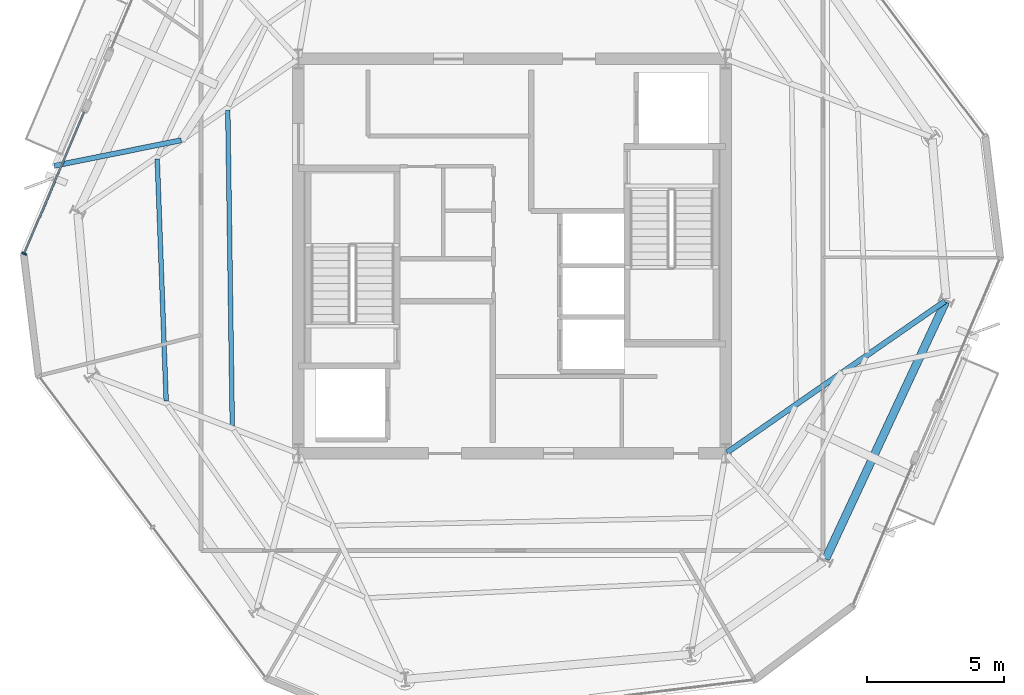
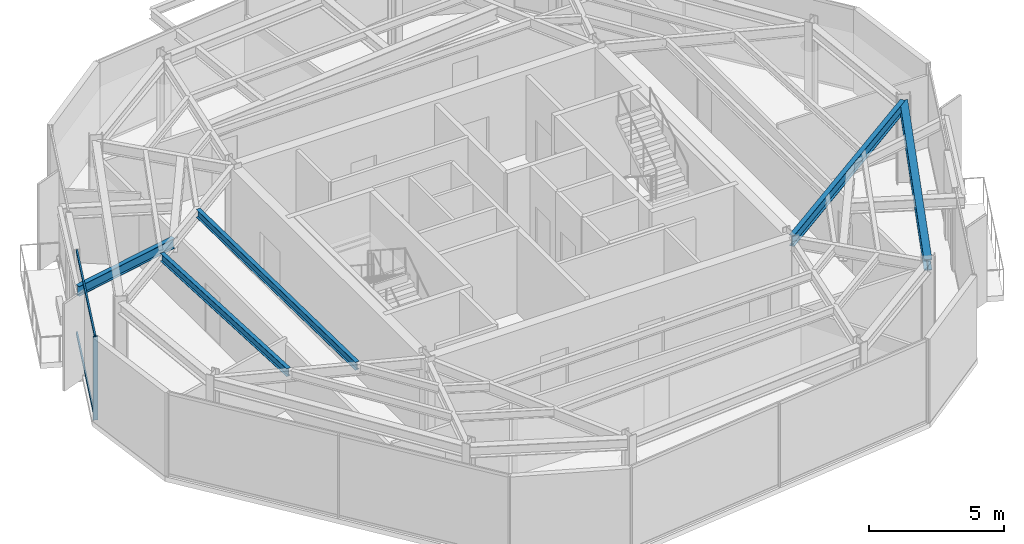
# One storey, part 3 of 11: 5 beams, 3 members, 1 element without a shape of its own.
"""IFC4 building model written with IfcOpenShell, lengths in metres."""

from ifc_helpers import new_model, si_unit, direction, frame, origin, origin_2d, place, context, subcontext, project, spatial, rectangle, i_section, extrude, material, layer, layer_set, material_profile, profile_set, type_object, element, aggregate, save


model = new_model("IFC4")

# Units and contexts
model_context = context("Model", 3, precision=1e-05, world=origin(), true_north=direction((0.0, 1.0)))
body_context = subcontext(model_context, "Body", "Model", "MODEL_VIEW")
ifc_project = project(units=[si_unit("LENGTHUNIT", "METRE"), si_unit("AREAUNIT", "SQUARE_METRE"), si_unit("VOLUMEUNIT", "CUBIC_METRE"), si_unit("PLANEANGLEUNIT", "RADIAN"), si_unit("MASSUNIT", "GRAM", prefix="KILO")], contexts=[model_context])

# Site, building, storey
site_placement = place(None, origin())
site = spatial("IfcSite", under=ifc_project, at=site_placement, CompositionType="ELEMENT")
building_placement = place(site_placement, origin())
building = spatial("IfcBuilding", under=site, at=building_placement, Name="Kranzbogen Civic Tower", CompositionType="ELEMENT")
storey_placement = place(building_placement, frame((0.0, 0.0, 294.199951171875)))
storey = spatial("IfcBuildingStorey", under=building, at=storey_placement, Name="L71", CompositionType="ELEMENT", Elevation=294.199951171875)

# Beam
ifc_material_1 = material(Name="Steel S355", Category="steel")
ifc_material_profile_1 = material_profile(ifc_material_1, i_section(OverallWidth=0.18994140625, OverallDepth=0.449951171875, WebThickness=0.009521484375, FlangeThickness=0.0146484375, at=origin_2d()), Name="IPE 450")
ifc_profile_set_1 = profile_set([ifc_material_profile_1], Name="Steel S355")
beam_type_1 = type_object("IfcBeamType", Name="Braced Terrace Edge Beam IPE 450", PredefinedType="BEAM", material=ifc_profile_set_1)
beam_1_placement = place(storey_placement, frame((12.924072265625, 29.23291015625, 3.525146484375), z_axis=(-0.980312003659, -0.197454742873, 0.0), x_axis=(0.197454742873, -0.980312003659, 0.0)))
element("IfcBeam", 1, at=beam_1_placement, inside=storey, type_object=beam_type_1, Name="L72 back-spanned terrace beam L72-TB2-2", PredefinedType="BEAM", context=body_context, shape_type="SweptSolid", body=[
    extrude(i_section(OverallWidth=0.18994140625, OverallDepth=0.449951171875, WebThickness=0.009521484375, FlangeThickness=0.0146484375, at=origin_2d()), origin(), (0.0, 0.0, 1.0), 4.734375),
])

# Curtain wall, members
ifc_material_2 = material(Name="Pale Anodised Aluminium", Category="aluminium")
ifc_layer = layer(ifc_material_2, 0.219970703125, Name="Pale Anodised Aluminium")
ifc_layer_set = layer_set([ifc_layer], Name="Pale Anodised Aluminium")
curtain_wall_type = type_object("IfcCurtainWallType", Name="Zone 4 Stick Curtain Wall System CW-05", PredefinedType="USERDEFINED", material=ifc_layer_set)
curtain_wall_placement = place(storey_placement, origin())
curtain_wall = element("IfcCurtainWall", 2, at=curtain_wall_placement, inside=storey, type_object=curtain_wall_type, Name="L71 curtain wall CW-L71-F2-S2", ObjectType="STICK CURTAIN WALL", PredefinedType="USERDEFINED")
ifc_material_profile_2 = material_profile(ifc_material_2, rectangle(XDim=0.06494140625, YDim=0.179931640625, at=origin_2d()), Name="ALU-M 65x180")
ifc_profile_set_2 = profile_set([ifc_material_profile_2], Name="Pale Anodised Aluminium")
member_type_1 = type_object("IfcMemberType", Name="Curtain Wall Mullion ALU-M 65x180", PredefinedType="MULLION", material=ifc_profile_set_2)
member_1_placement = place(storey_placement, frame((7.189697265625, 25.088623046875, 0.0), z_axis=(0.0, 0.0, 1.0), x_axis=(-0.390702820326, -0.920516869041, 0.0)))
member_1 = element("IfcMember", 3, at=member_1_placement, type_object=member_type_1, Name="CW-05 mullion 2", PredefinedType="MULLION", context=body_context, shape_type="SweptSolid", body=[
    extrude(rectangle(XDim=0.06494140625, YDim=0.179931640625, at=origin_2d()), origin(), (0.0, 0.0, 1.0), 3.780029296875),
])
ifc_material_profile_3 = material_profile(ifc_material_2, rectangle(XDim=0.06494140625, YDim=0.135009765625, at=origin_2d()), Name="ALU-T 65x135")
ifc_profile_set_3 = profile_set([ifc_material_profile_3], Name="Pale Anodised Aluminium")
member_type_2 = type_object("IfcMemberType", Name="Curtain Wall Transom ALU-T 65x135", PredefinedType="USERDEFINED", material=ifc_profile_set_3)
member_2_placement = place(storey_placement, frame((9.384521484375, 30.259765625, 0.030029296875), z_axis=(-0.390700198967, -0.920517981642, 0.0), x_axis=(0.920517981642, -0.390700198967, 0.0)))
member_2 = element("IfcMember", 4, at=member_2_placement, type_object=member_type_2, Name="CW-05 transom 1.1", ObjectType="TRANSOM", PredefinedType="USERDEFINED", context=body_context, shape_type="SweptSolid", body=[
    extrude(rectangle(XDim=0.06494140625, YDim=0.135009765625, at=origin_2d()), origin(), (0.0, 0.0, 1.0), 5.587646484375),
])
member_3_placement = place(storey_placement, frame((9.384521484375, 30.259765625, 3.75), z_axis=(-0.390700198967, -0.920517981642, 0.0), x_axis=(0.920517981642, -0.390700198967, 0.0)))
member_3 = element("IfcMember", 5, at=member_3_placement, type_object=member_type_2, Name="CW-05 transom 1.2", ObjectType="TRANSOM", PredefinedType="USERDEFINED", context=body_context, shape_type="SweptSolid", body=[
    extrude(rectangle(XDim=0.06494140625, YDim=0.135009765625, at=origin_2d()), origin(), (0.0, 0.0, 1.0), 5.587646484375),
])
aggregate(curtain_wall, [member_1, member_2, member_3])

# Beams
ifc_material_profile_4 = material_profile(ifc_material_1, i_section(OverallWidth=0.300048828125, OverallDepth=0.5, WebThickness=0.014404296875, FlangeThickness=0.028076171875, at=origin_2d()), Name="HEB 500")
ifc_profile_set_4 = profile_set([ifc_material_profile_4], Name="Steel S355")
beam_type_2 = type_object("IfcBeamType", Name="Perimeter Tube Spandrel Beam HEB 500", PredefinedType="SPANDREL", material=ifc_profile_set_4)
beam_2_placement = place(storey_placement, frame((36.449951171875, 13.944091796875, 3.530029296875), z_axis=(0.422668780888, 0.906284227857, 0.0), x_axis=(-0.906284227857, 0.422668780888, 0.0)))
element("IfcBeam", 6, at=beam_2_placement, inside=storey, type_object=beam_type_2, Name="L71 perimeter spandrel beam 05", PredefinedType="SPANDREL", context=body_context, shape_type="SweptSolid", body=[
    extrude(i_section(OverallWidth=0.300048828125, OverallDepth=0.5, WebThickness=0.014404296875, FlangeThickness=0.028076171875, at=origin_2d()), origin(), (0.0, 0.0, 1.0), 10.363037109375),
])
ifc_material_profile_5 = material_profile(ifc_material_1, i_section(OverallWidth=0.199951171875, OverallDepth=0.5, WebThickness=0.01025390625, FlangeThickness=0.01611328125, at=origin_2d()), Name="IPE 500")
ifc_profile_set_5 = profile_set([ifc_material_profile_5], Name="Steel S355")
beam_type_3 = type_object("IfcBeamType", Name="Radial Tower Floor Girder IPE 500", PredefinedType="BEAM", material=ifc_profile_set_5)
beam_3_placement = place(storey_placement, frame((40.805908203125, 23.35595703125, 3.530029296875), z_axis=(-0.821542812331, -0.570146829779, 0.0), x_axis=(0.570146829779, -0.821542812331, 0.0)))
element("IfcBeam", 7, at=beam_3_placement, inside=storey, type_object=beam_type_3, Name="L71 radial floor girder 06", PredefinedType="BEAM", context=body_context, shape_type="SweptSolid", body=[
    extrude(i_section(OverallWidth=0.199951171875, OverallDepth=0.5, WebThickness=0.01025390625, FlangeThickness=0.01611328125, at=origin_2d()), origin(), (0.0, 0.0, 1.0), 9.68505859375),
])
ifc_material_profile_6 = material_profile(ifc_material_1, i_section(OverallWidth=0.169921875, OverallDepth=0.360107421875, WebThickness=0.008056640625, FlangeThickness=0.0126953125, at=origin_2d()), Name="IPE 360")
ifc_profile_set_6 = profile_set([ifc_material_profile_6], Name="Steel S355")
beam_type_4 = type_object("IfcBeamType", Name="Secondary Composite Floor Joist IPE 360", PredefinedType="JOIST", material=ifc_profile_set_6)
beam_4_placement = place(storey_placement, frame((12.048095703125, 28.5419921875, 3.60009765625), z_axis=(0.036992246074, -0.999315552631, 0.0), x_axis=(0.999315552631, 0.036992246074, 0.0)))
element("IfcBeam", 8, at=beam_4_placement, inside=storey, type_object=beam_type_4, Name="L71 secondary floor joist 1.12", PredefinedType="JOIST", context=body_context, shape_type="SweptSolid", body=[
    extrude(i_section(OverallWidth=0.169921875, OverallDepth=0.360107421875, WebThickness=0.008056640625, FlangeThickness=0.0126953125, at=origin_2d()), origin(), (0.0, 0.0, 1.0), 8.837158203125),
])
beam_5_placement = place(storey_placement, frame((14.6240234375, 30.3310546875, 3.60009765625), z_axis=(0.014221385906, -0.999898870978, 0.0), x_axis=(0.999898870978, 0.014221385906, 0.0)))
element("IfcBeam", 9, at=beam_5_placement, inside=storey, type_object=beam_type_4, Name="L71 secondary floor joist 2.12", PredefinedType="JOIST", context=body_context, shape_type="SweptSolid", body=[
    extrude(i_section(OverallWidth=0.169921875, OverallDepth=0.360107421875, WebThickness=0.008056640625, FlangeThickness=0.0126953125, at=origin_2d()), origin(), (0.0, 0.0, 1.0), 11.536376953125),
])

save(model, "model.ifc")
